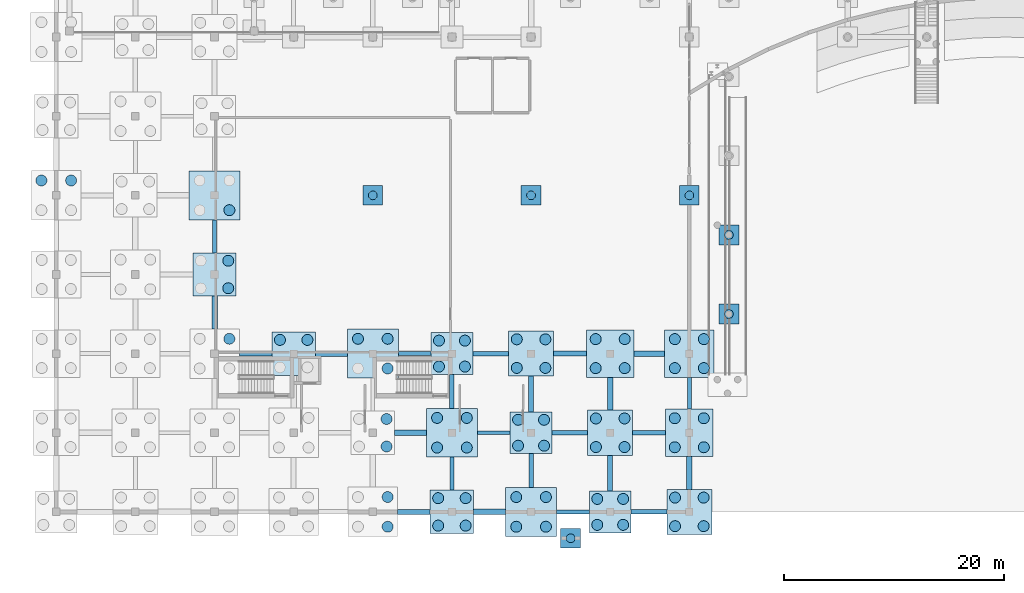
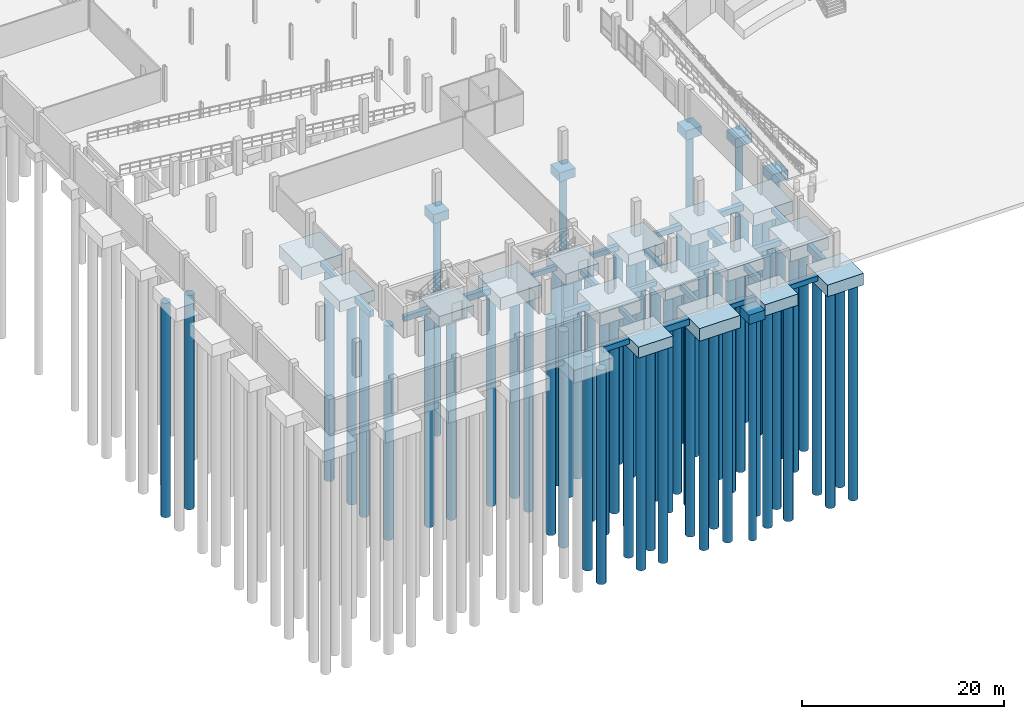
# One storey, part 2 of 56: 69 piles, 46 footings.
"""IFC4 building model written with IfcOpenShell, lengths in metres."""

from ifc_helpers import new_model, si_unit, direction, frame, origin, origin_2d, place, context, subcontext, project, spatial, rectangle, circle, extrude, material, material_profile, profile_set, type_object, element, save


model = new_model("IFC4")

# Units and contexts
model_context = context("Model", 3, precision=1e-05, world=origin(), true_north=direction((0.0, 1.0)))
body_context = subcontext(model_context, "Body", "Model", "MODEL_VIEW")
ifc_project = project(units=[si_unit("LENGTHUNIT", "METRE"), si_unit("AREAUNIT", "SQUARE_METRE"), si_unit("VOLUMEUNIT", "CUBIC_METRE"), si_unit("PLANEANGLEUNIT", "RADIAN"), si_unit("MASSUNIT", "GRAM", prefix="KILO")], contexts=[model_context])

# Site, building, storey
site_placement = place(None, origin())
site = spatial("IfcSite", under=ifc_project, at=site_placement, CompositionType="ELEMENT")
building_placement = place(site_placement, origin())
building = spatial("IfcBuilding", under=site, at=building_placement, Name="Suanplinth Sawtooth Commons", CompositionType="ELEMENT")
storey_placement = place(building_placement, frame((0.0, 0.0, -4.199951171875)))
storey = spatial("IfcBuildingStorey", under=building, at=storey_placement, Name="B1", CompositionType="ELEMENT", Elevation=-4.199951171875)

# Footings
ifc_material_1 = material(Name="Concrete C35/45", Category="concrete")
ifc_material_profile_1 = material_profile(ifc_material_1, rectangle(XDim=0.449951171875, YDim=0.64990234375, at=origin_2d()), Name="PC-GDR 450x650")
ifc_profile_set_1 = profile_set([ifc_material_profile_1], Name="Concrete C35/45")
footing_type_1 = type_object("IfcFootingType", Name="FB-01", PredefinedType="FOOTING_BEAM", material=ifc_profile_set_1)
footing_1_placement = place(storey_placement, frame((16.64990234375, 14.39990234375, -0.824951171875), z_axis=(1.0, 0.0, 0.0), x_axis=(0.0, 1.0, 0.0)))
element("IfcFooting", 1, at=footing_1_placement, inside=storey, type_object=footing_type_1, Name="Foundation Tie Beam 3-4/C", PredefinedType="FOOTING_BEAM", context=body_context, shape_type="SweptSolid", body=[
    extrude(rectangle(XDim=0.449951171875, YDim=0.64990234375, at=origin_2d()), origin(), (0.0, 0.0, 1.0), 2.97509765625),
])
footing_2_placement = place(storey_placement, frame((31.050048828125, 0.0, -0.824951171875), z_axis=(1.0, 0.0, 0.0), x_axis=(0.0, 1.0, 0.0)))
element("IfcFooting", 2, at=footing_2_placement, inside=storey, type_object=footing_type_1, Name="Foundation Tie Beam 5-6/A", PredefinedType="FOOTING_BEAM", context=body_context, shape_type="SweptSolid", body=[
    extrude(rectangle(XDim=0.449951171875, YDim=0.64990234375, at=origin_2d()), origin(), (0.0, 0.0, 1.0), 2.974853515625),
])
footing_3_placement = place(storey_placement, frame((43.199951171875, 9.10009765625, -0.824951171875), z_axis=(0.0, 1.0, 0.0), x_axis=(-1.0, 0.0, 0.0)))
element("IfcFooting", 3, at=footing_3_placement, inside=storey, type_object=footing_type_1, Name="Foundation Tie Beam 7/B-C", PredefinedType="FOOTING_BEAM", context=body_context, shape_type="SweptSolid", body=[
    extrude(rectangle(XDim=0.449951171875, YDim=0.64990234375, at=origin_2d()), origin(), (0.0, 0.0, 1.0), 3.25),
])
footing_4_placement = place(storey_placement, frame((45.25, 14.39990234375, -0.824951171875), z_axis=(1.0, 0.0, 0.0), x_axis=(0.0, 1.0, 0.0)))
element("IfcFooting", 4, at=footing_4_placement, inside=storey, type_object=footing_type_1, Name="Foundation Tie Beam 7-8/C", PredefinedType="FOOTING_BEAM", context=body_context, shape_type="SweptSolid", body=[
    extrude(rectangle(XDim=0.449951171875, YDim=0.64990234375, at=origin_2d()), origin(), (0.0, 0.0, 1.0), 3.0),
])
footing_5_placement = place(storey_placement, frame((50.39990234375, 1.89990234375, -0.824951171875), z_axis=(0.0, 1.0, 0.0), x_axis=(-1.0, 0.0, 0.0)))
element("IfcFooting", 5, at=footing_5_placement, inside=storey, type_object=footing_type_1, Name="Foundation Tie Beam 8/A-B", PredefinedType="FOOTING_BEAM", context=body_context, shape_type="SweptSolid", body=[
    extrude(rectangle(XDim=0.449951171875, YDim=0.64990234375, at=origin_2d()), origin(), (0.0, 0.0, 1.0), 3.25),
])
footing_6_placement = place(storey_placement, frame((52.449951171875, 7.199951171875, -0.824951171875), z_axis=(1.0, 0.0, 0.0), x_axis=(0.0, 1.0, 0.0)))
element("IfcFooting", 6, at=footing_6_placement, inside=storey, type_object=footing_type_1, Name="Foundation Tie Beam 8-9/B", PredefinedType="FOOTING_BEAM", context=body_context, shape_type="SweptSolid", body=[
    extrude(rectangle(XDim=0.449951171875, YDim=0.64990234375, at=origin_2d()), origin(), (0.0, 0.0, 1.0), 3.0),
])
ifc_material_profile_2 = material_profile(ifc_material_1, rectangle(XDim=0.5, YDim=0.75, at=origin_2d()), Name="RC-GDR 500x750")
ifc_profile_set_2 = profile_set([ifc_material_profile_2], Name="Concrete C35/45")
footing_type_2 = type_object("IfcFootingType", Name="FB-02", PredefinedType="FOOTING_BEAM", material=ifc_profile_set_2)
footing_7_placement = place(storey_placement, frame((14.39990234375, 16.64990234375, -0.875), z_axis=(0.0, 1.0, 0.0), x_axis=(-1.0, 0.0, 0.0)))
element("IfcFooting", 7, at=footing_7_placement, inside=storey, type_object=footing_type_2, Name="Foundation Tie Beam 3/C-D", PredefinedType="FOOTING_BEAM", context=body_context, shape_type="SweptSolid", body=[
    extrude(rectangle(XDim=0.5, YDim=0.75, at=origin_2d()), origin(), (0.0, 0.0, 1.0), 2.97509765625),
])
for number, where, z_axis, x_axis, name in (
    (8, (23.574951171875, 14.39990234375, -0.875), (1.0, 0.0, 0.0), (0.0, 1.0, 0.0), "Foundation Tie Beam 4-5/C"),
    (9, (30.77490234375, 7.199951171875, -0.875), (1.0, 0.0, 0.0), (0.0, 1.0, 0.0), "Foundation Tie Beam 5-6/B"),
):
    element("IfcFooting", number, at=place(storey_placement, frame(where, z_axis=z_axis, x_axis=x_axis)), inside=storey, type_object=footing_type_2, Name=name, PredefinedType="FOOTING_BEAM", context=body_context, shape_type="SweptSolid", body=[
        extrude(rectangle(XDim=0.5, YDim=0.75, at=origin_2d()), origin(), (0.0, 0.0, 1.0), 2.900146484375),
    ])
footing_8_placement = place(storey_placement, frame((37.97509765625, 0.0, -0.875), z_axis=(1.0, 0.0, 0.0), x_axis=(0.0, 1.0, 0.0)))
element("IfcFooting", 10, at=footing_8_placement, inside=storey, type_object=footing_type_2, Name="Foundation Tie Beam 6-7/A", PredefinedType="FOOTING_BEAM", context=body_context, shape_type="SweptSolid", body=[
    extrude(rectangle(XDim=0.5, YDim=0.75, at=origin_2d()), origin(), (0.0, 0.0, 1.0), 2.89990234375),
])
footing_9_placement = place(storey_placement, frame((50.39990234375, 9.25, -0.875), z_axis=(0.0, 1.0, 0.0), x_axis=(-1.0, 0.0, 0.0)))
element("IfcFooting", 11, at=footing_9_placement, inside=storey, type_object=footing_type_2, Name="Foundation Tie Beam 8/B-C", PredefinedType="FOOTING_BEAM", context=body_context, shape_type="SweptSolid", body=[
    extrude(rectangle(XDim=0.5, YDim=0.75, at=origin_2d()), origin(), (0.0, 0.0, 1.0), 3.0),
])
footing_10_placement = place(storey_placement, frame((52.550048828125, 14.39990234375, -0.875), z_axis=(1.0, 0.0, 0.0), x_axis=(0.0, 1.0, 0.0)))
element("IfcFooting", 12, at=footing_10_placement, inside=storey, type_object=footing_type_2, Name="Foundation Tie Beam 8-9/C", PredefinedType="FOOTING_BEAM", context=body_context, shape_type="SweptSolid", body=[
    extrude(rectangle(XDim=0.5, YDim=0.75, at=origin_2d()), origin(), (0.0, 0.0, 1.0), 2.800048828125),
])
footing_11_placement = place(storey_placement, frame((57.60009765625, 2.050048828125, -0.875), z_axis=(0.0, 1.0, 0.0), x_axis=(-1.0, 0.0, 0.0)))
element("IfcFooting", 13, at=footing_11_placement, inside=storey, type_object=footing_type_2, Name="Foundation Tie Beam 9/A-B", PredefinedType="FOOTING_BEAM", context=body_context, shape_type="SweptSolid", body=[
    extrude(rectangle(XDim=0.5, YDim=0.75, at=origin_2d()), origin(), (0.0, 0.0, 1.0), 3.0),
])
ifc_material_profile_3 = material_profile(ifc_material_1, rectangle(XDim=0.35009765625, YDim=0.550048828125, at=origin_2d()), Name="PC-BM 350x550")
ifc_profile_set_3 = profile_set([ifc_material_profile_3], Name="Concrete C35/45")
footing_type_3 = type_object("IfcFootingType", Name="FB-03", PredefinedType="FOOTING_BEAM", material=ifc_profile_set_3)
footing_12_placement = place(storey_placement, frame((14.39990234375, 23.574951171875, -0.775146484375), z_axis=(0.0, 1.0, 0.0), x_axis=(-1.0, 0.0, 0.0)))
element("IfcFooting", 14, at=footing_12_placement, inside=storey, type_object=footing_type_3, Name="Foundation Tie Beam 3/D-E", PredefinedType="FOOTING_BEAM", context=body_context, shape_type="SweptSolid", body=[
    extrude(rectangle(XDim=0.35009765625, YDim=0.550048828125, at=origin_2d()), origin(), (0.0, 0.0, 1.0), 3.0),
])
footing_13_placement = place(storey_placement, frame((31.125, 14.39990234375, -0.775146484375), z_axis=(1.0, 0.0, 0.0), x_axis=(0.0, 1.0, 0.0)))
element("IfcFooting", 15, at=footing_13_placement, inside=storey, type_object=footing_type_3, Name="Foundation Tie Beam 5-6/C", PredefinedType="FOOTING_BEAM", context=body_context, shape_type="SweptSolid", body=[
    extrude(rectangle(XDim=0.35009765625, YDim=0.550048828125, at=origin_2d()), origin(), (0.0, 0.0, 1.0), 2.97509765625),
])
footing_14_placement = place(storey_placement, frame((36.0, 1.97509765625, -0.775146484375), z_axis=(0.0, 1.0, 0.0), x_axis=(-1.0, 0.0, 0.0)))
element("IfcFooting", 16, at=footing_14_placement, inside=storey, type_object=footing_type_3, Name="Foundation Tie Beam 6/A-B", PredefinedType="FOOTING_BEAM", context=body_context, shape_type="SweptSolid", body=[
    extrude(rectangle(XDim=0.35009765625, YDim=0.550048828125, at=origin_2d()), origin(), (0.0, 0.0, 1.0), 3.0),
])
for number, where, z_axis, x_axis, name in (
    (17, (38.324951171875, 7.199951171875, -0.775146484375), (1.0, 0.0, 0.0), (0.0, 1.0, 0.0), "Foundation Tie Beam 6-7/B"),
    (18, (45.52490234375, 0.0, -0.775146484375), (1.0, 0.0, 0.0), (0.0, 1.0, 0.0), "Foundation Tie Beam 7-8/A"),
):
    element("IfcFooting", number, at=place(storey_placement, frame(where, z_axis=z_axis, x_axis=x_axis)), inside=storey, type_object=footing_type_3, Name=name, PredefinedType="FOOTING_BEAM", context=body_context, shape_type="SweptSolid", body=[
        extrude(rectangle(XDim=0.35009765625, YDim=0.550048828125, at=origin_2d()), origin(), (0.0, 0.0, 1.0), 2.97509765625),
    ])
footing_15_placement = place(storey_placement, frame((57.60009765625, 9.35009765625, -0.775146484375), z_axis=(0.0, 1.0, 0.0), x_axis=(-1.0, 0.0, 0.0)))
element("IfcFooting", 19, at=footing_15_placement, inside=storey, type_object=footing_type_3, Name="Foundation Tie Beam 9/B-C", PredefinedType="FOOTING_BEAM", context=body_context, shape_type="SweptSolid", body=[
    extrude(rectangle(XDim=0.35009765625, YDim=0.550048828125, at=origin_2d()), origin(), (0.0, 0.0, 1.0), 2.89990234375),
])
ifc_material_profile_4 = material_profile(ifc_material_1, rectangle(XDim=0.39990234375, YDim=0.60009765625, at=origin_2d()), Name="PC-GDR 400x600")
ifc_profile_set_4 = profile_set([ifc_material_profile_4], Name="Concrete C35/45")
footing_type_4 = type_object("IfcFootingType", Name="FB-04", PredefinedType="FOOTING_BEAM", material=ifc_profile_set_4)
footing_16_placement = place(storey_placement, frame((36.0, 9.425048828125, -0.800048828125), z_axis=(0.0, 1.0, 0.0), x_axis=(-1.0, 0.0, 0.0)))
element("IfcFooting", 20, at=footing_16_placement, inside=storey, type_object=footing_type_4, Name="Foundation Tie Beam 6/B-C", PredefinedType="FOOTING_BEAM", context=body_context, shape_type="SweptSolid", body=[
    extrude(rectangle(XDim=0.39990234375, YDim=0.60009765625, at=origin_2d()), origin(), (0.0, 0.0, 1.0), 3.074951171875),
])
footing_17_placement = place(storey_placement, frame((37.89990234375, 14.39990234375, -0.800048828125), z_axis=(1.0, 0.0, 0.0), x_axis=(0.0, 1.0, 0.0)))
element("IfcFooting", 21, at=footing_17_placement, inside=storey, type_object=footing_type_4, Name="Foundation Tie Beam 6-7/C", PredefinedType="FOOTING_BEAM", context=body_context, shape_type="SweptSolid", body=[
    extrude(rectangle(XDim=0.39990234375, YDim=0.60009765625, at=origin_2d()), origin(), (0.0, 0.0, 1.0), 3.25),
])
footing_18_placement = place(storey_placement, frame((43.199951171875, 2.22509765625, -0.800048828125), z_axis=(0.0, 1.0, 0.0), x_axis=(-1.0, 0.0, 0.0)))
element("IfcFooting", 22, at=footing_18_placement, inside=storey, type_object=footing_type_4, Name="Foundation Tie Beam 7/A-B", PredefinedType="FOOTING_BEAM", context=body_context, shape_type="SweptSolid", body=[
    extrude(rectangle(XDim=0.39990234375, YDim=0.60009765625, at=origin_2d()), origin(), (0.0, 0.0, 1.0), 3.074951171875),
])
for number, where, z_axis, x_axis, name in (
    (23, (45.10009765625, 7.199951171875, -0.800048828125), (1.0, 0.0, 0.0), (0.0, 1.0, 0.0), "Foundation Tie Beam 7-8/B"),
    (24, (52.300048828125, 0.0, -0.800048828125), (1.0, 0.0, 0.0), (0.0, 1.0, 0.0), "Foundation Tie Beam 8-9/A"),
):
    element("IfcFooting", number, at=place(storey_placement, frame(where, z_axis=z_axis, x_axis=x_axis)), inside=storey, type_object=footing_type_4, Name=name, PredefinedType="FOOTING_BEAM", context=body_context, shape_type="SweptSolid", body=[
        extrude(rectangle(XDim=0.39990234375, YDim=0.60009765625, at=origin_2d()), origin(), (0.0, 0.0, 1.0), 3.25),
    ])
footing_type_5 = type_object("IfcFootingType", Name="FC-01", PredefinedType="PILE_CAP", material=ifc_material_1)
for number, where, z_axis, x_axis, name in (
    (25, (28.800048828125, 28.800048828125, -1.60009765625), (0.0, 0.0, 1.0), (1.0, 0.0, 0.0), "Pile Cap 5/E"),
    (26, (43.199951171875, 28.800048828125, -1.60009765625), (0.0, 0.0, 1.0), (1.0, 0.0, 0.0), "Pile Cap 7/E"),
    (27, (57.60009765625, 28.800048828125, -1.60009765625), (0.0, 0.0, 1.0), (1.0, 0.0, 0.0), "Pile Cap 9/E"),
    (28, (61.199951171875, 18.0, -1.60009765625), (0.0, 0.0, 1.0), (1.0, 0.0, 0.0), "West Breezeway Cap W1"),
    (29, (61.199951171875, 25.199951171875, -1.60009765625), (0.0, 0.0, 1.0), (1.0, 0.0, 0.0), "West Breezeway Cap W2"),
    (30, (46.800048828125, -2.39990234375, -1.10009765625), (0.0, 0.0, 1.0), (1.0, 0.0, 0.0), "Threshold Ramp Toe Cap AR-05"),
):
    element("IfcFooting", number, at=place(storey_placement, frame(where, z_axis=z_axis, x_axis=x_axis)), inside=storey, type_object=footing_type_5, Name=name, PredefinedType="PILE_CAP", context=body_context, shape_type="SweptSolid", body=[
        extrude(rectangle(XDim=1.800048828125, YDim=1.800048828125, at=origin_2d()), origin(), (0.0, 0.0, 1.0), 1.10009765625),
    ])
footing_type_6 = type_object("IfcFootingType", Name="FC-06", PredefinedType="PILE_CAP", material=ifc_material_1)
for number, where, z_axis, x_axis, name in (
    (31, (36.0, 14.39990234375, -1.85009765625), (0.0, 0.0, 1.0), (1.0, 0.0, 0.0), "Pile Cap 6/C"),
    (32, (43.199951171875, 7.199951171875, -1.85009765625), (0.0, 0.0, 1.0), (1.0, 0.0, 0.0), "Pile Cap 7/B"),
    (33, (50.39990234375, 0.0, -1.85009765625), (0.0, 0.0, 1.0), (1.0, 0.0, 0.0), "Pile Cap 8/A"),
):
    element("IfcFooting", number, at=place(storey_placement, frame(where, z_axis=z_axis, x_axis=x_axis)), inside=storey, type_object=footing_type_6, Name=name, PredefinedType="PILE_CAP", context=body_context, shape_type="SweptSolid", body=[
        extrude(rectangle(XDim=3.800048828125, YDim=3.800048828125, at=origin_2d()), origin(), (0.0, 0.0, 1.0), 1.35009765625),
    ])
footing_type_7 = type_object("IfcFootingType", Name="FC-07", PredefinedType="PILE_CAP", material=ifc_material_1)
for number, where, z_axis, x_axis, name in (
    (34, (43.199951171875, 14.39990234375, -1.89990234375), (0.0, 0.0, 1.0), (1.0, 0.0, 0.0), "Pile Cap 7/C"),
    (35, (50.39990234375, 7.199951171875, -1.89990234375), (0.0, 0.0, 1.0), (1.0, 0.0, 0.0), "Pile Cap 8/B"),
    (36, (57.60009765625, 0.0, -1.89990234375), (0.0, 0.0, 1.0), (1.0, 0.0, 0.0), "Pile Cap 9/A"),
):
    element("IfcFooting", number, at=place(storey_placement, frame(where, z_axis=z_axis, x_axis=x_axis)), inside=storey, type_object=footing_type_7, Name=name, PredefinedType="PILE_CAP", context=body_context, shape_type="SweptSolid", body=[
        extrude(rectangle(XDim=4.10009765625, YDim=4.10009765625, at=origin_2d()), origin(), (0.0, 0.0, 1.0), 1.39990234375),
    ])
footing_type_8 = type_object("IfcFootingType", Name="FC-08", PredefinedType="PILE_CAP", material=ifc_material_1)
for number, where, z_axis, x_axis, name in (
    (37, (50.39990234375, 14.39990234375, -1.9501953125), (0.0, 0.0, 1.0), (1.0, 0.0, 0.0), "Pile Cap 8/C"),
    (38, (57.60009765625, 7.199951171875, -1.9501953125), (0.0, 0.0, 1.0), (1.0, 0.0, 0.0), "Pile Cap 9/B"),
):
    element("IfcFooting", number, at=place(storey_placement, frame(where, z_axis=z_axis, x_axis=x_axis)), inside=storey, type_object=footing_type_8, Name=name, PredefinedType="PILE_CAP", context=body_context, shape_type="SweptSolid", body=[
        extrude(rectangle(XDim=4.300048828125, YDim=4.300048828125, at=origin_2d()), origin(), (0.0, 0.0, 1.0), 1.449951171875),
    ])
footing_type_9 = type_object("IfcFootingType", Name="FC-09", PredefinedType="PILE_CAP", material=ifc_material_1)
footing_19_placement = place(storey_placement, frame((57.60009765625, 14.39990234375, -2.0), z_axis=(0.0, 0.0, 1.0), x_axis=(1.0, 0.0, 0.0)))
element("IfcFooting", 39, at=footing_19_placement, inside=storey, type_object=footing_type_9, Name="Pile Cap 9/C", PredefinedType="PILE_CAP", context=body_context, shape_type="SweptSolid", body=[
    extrude(rectangle(XDim=4.5, YDim=4.300048828125, at=origin_2d()), origin(), (0.0, 0.0, 1.0), 1.5),
])
footing_type_10 = type_object("IfcFootingType", Name="FC-15", PredefinedType="PILE_CAP", material=ifc_material_1)
for number, where, z_axis, x_axis, name in (
    (40, (14.39990234375, 21.60009765625, -1.8203125), (0.0, 0.0, 1.0), (1.0, 0.0, 0.0), "Pile Cap 3/D"),
    (41, (21.60009765625, 14.39990234375, -1.8203125), (0.0, 0.0, 1.0), (1.0, 0.0, 0.0), "Pile Cap 4/C"),
    (42, (36.0, 0.0, -1.8203125), (0.0, 0.0, 1.0), (1.0, 0.0, 0.0), "Pile Cap 6/A"),
):
    element("IfcFooting", number, at=place(storey_placement, frame(where, z_axis=z_axis, x_axis=x_axis)), inside=storey, type_object=footing_type_10, Name=name, PredefinedType="PILE_CAP", context=body_context, shape_type="SweptSolid", body=[
        extrude(rectangle(XDim=3.949951171875, YDim=3.949951171875, at=origin_2d()), origin(), (0.0, 0.0, 1.0), 1.320068359375),
    ])
footing_type_11 = type_object("IfcFootingType", Name="FC-16", PredefinedType="PILE_CAP", material=ifc_material_1)
for number, where, z_axis, x_axis, name in (
    (43, (14.39990234375, 28.800048828125, -2.02001953125), (0.0, 0.0, 1.0), (1.0, 0.0, 0.0), "Pile Cap 3/E"),
    (44, (28.800048828125, 14.39990234375, -2.02001953125), (0.0, 0.0, 1.0), (1.0, 0.0, 0.0), "Pile Cap 5/C"),
    (45, (36.0, 7.199951171875, -2.02001953125), (0.0, 0.0, 1.0), (1.0, 0.0, 0.0), "Pile Cap 6/B"),
    (46, (43.199951171875, 0.0, -2.02001953125), (0.0, 0.0, 1.0), (1.0, 0.0, 0.0), "Pile Cap 7/A"),
):
    element("IfcFooting", number, at=place(storey_placement, frame(where, z_axis=z_axis, x_axis=x_axis)), inside=storey, type_object=footing_type_11, Name=name, PredefinedType="PILE_CAP", context=body_context, shape_type="SweptSolid", body=[
        extrude(rectangle(XDim=4.64990234375, YDim=4.449951171875, at=origin_2d()), origin(), (0.0, 0.0, 1.0), 1.52001953125),
    ])

# Piles
ifc_material_2 = material(Name="Concrete C32/40", Category="concrete")
ifc_material_profile_5 = material_profile(ifc_material_2, circle(Radius=0.39990234375, at=origin_2d()), Name="PILE D800")
ifc_profile_set_5 = profile_set([ifc_material_profile_5], Name="Concrete C32/40")
pile_type_1 = type_object("IfcPileType", Name="P-01", PredefinedType="BORED", material=ifc_profile_set_5)
for number, where, z_axis, x_axis, name in (
    (47, (28.800048828125, 28.800048828125, -1.5), (0.0, 0.0, -1.0), (1.0, 0.0, 0.0), "Bored Pile 5/E-1"),
    (48, (43.199951171875, 28.800048828125, -1.5), (0.0, 0.0, -1.0), (1.0, 0.0, 0.0), "Bored Pile 7/E-1"),
    (49, (57.60009765625, 28.800048828125, -1.5), (0.0, 0.0, -1.0), (1.0, 0.0, 0.0), "Bored Pile 9/E-1"),
    (50, (61.199951171875, 18.0, -1.5), (0.0, 0.0, -1.0), (1.0, 0.0, 0.0), "West Breezeway Pile W1"),
    (51, (61.199951171875, 25.199951171875, -1.5), (0.0, 0.0, -1.0), (1.0, 0.0, 0.0), "West Breezeway Pile W2"),
):
    element("IfcPile", number, at=place(storey_placement, frame(where, z_axis=z_axis, x_axis=x_axis)), inside=storey, type_object=pile_type_1, Name=name, PredefinedType="BORED", context=body_context, shape_type="SweptSolid", body=[
        extrude(circle(Radius=0.39990234375, at=origin_2d()), origin(), (0.0, 0.0, 1.0), 26.300048828125),
    ])
pile_1_placement = place(storey_placement, frame((46.800048828125, -2.39990234375, -1.0), z_axis=(0.0, 0.0, -1.0), x_axis=(1.0, 0.0, 0.0)))
element("IfcPile", 52, at=pile_1_placement, inside=storey, type_object=pile_type_1, Name="Threshold Ramp Toe Pile AR-05", PredefinedType="BORED", context=body_context, shape_type="SweptSolid", body=[
    extrude(circle(Radius=0.39990234375, at=origin_2d()), origin(), (0.0, 0.0, 1.0), 26.800048828125),
])
ifc_material_profile_6 = material_profile(ifc_material_2, circle(Radius=0.5, at=origin_2d()), Name="PILE D1000")
ifc_profile_set_6 = profile_set([ifc_material_profile_6], Name="Concrete C32/40")
pile_type_2 = type_object("IfcPileType", Name="P-02", PredefinedType="BORED", material=ifc_profile_set_6)
for number, where, z_axis, x_axis, name in (
    (53, (-1.35009765625, 30.14990234375, -1.949951171875), (0.0, 0.0, -1.0), (1.0, 0.0, 0.0), "Bored Pile 1/E-3"),
    (54, (1.35009765625, 30.14990234375, -1.949951171875), (0.0, 0.0, -1.0), (1.0, 0.0, 0.0), "Bored Pile 1/E-4"),
    (55, (15.75, 15.75, -1.949951171875), (0.0, 0.0, -1.0), (1.0, 0.0, 0.0), "Bored Pile 3/C-4"),
):
    element("IfcPile", number, at=place(storey_placement, frame(where, z_axis=z_axis, x_axis=x_axis)), inside=storey, type_object=pile_type_2, Name=name, PredefinedType="BORED", context=body_context, shape_type="SweptSolid", body=[
        extrude(circle(Radius=0.5, at=origin_2d()), origin(), (0.0, 0.0, 1.0), 25.85009765625),
    ])
for number, where, z_axis, x_axis, name in (
    (56, (15.64990234375, 20.35009765625, -1.719970703125), (0.0, 0.0, -1.0), (1.0, 0.0, 0.0), "Bored Pile 3/D-2"),
    (57, (15.64990234375, 22.85009765625, -1.719970703125), (0.0, 0.0, -1.0), (1.0, 0.0, 0.0), "Bored Pile 3/D-4"),
):
    element("IfcPile", number, at=place(storey_placement, frame(where, z_axis=z_axis, x_axis=x_axis)), inside=storey, type_object=pile_type_2, Name=name, PredefinedType="BORED", context=body_context, shape_type="SweptSolid", body=[
        extrude(circle(Radius=0.5, at=origin_2d()), origin(), (0.0, 0.0, 1.0), 26.080078125),
    ])
pile_2_placement = place(storey_placement, frame((15.75, 27.449951171875, -1.920166015625), z_axis=(0.0, 0.0, -1.0), x_axis=(1.0, 0.0, 0.0)))
element("IfcPile", 58, at=pile_2_placement, inside=storey, type_object=pile_type_2, Name="Bored Pile 3/E-2", PredefinedType="BORED", context=body_context, shape_type="SweptSolid", body=[
    extrude(circle(Radius=0.5, at=origin_2d()), origin(), (0.0, 0.0, 1.0), 25.8798828125),
])
for number, where, z_axis, x_axis, name in (
    (59, (20.35009765625, 15.64990234375, -1.719970703125), (0.0, 0.0, -1.0), (1.0, 0.0, 0.0), "Bored Pile 4/C-3"),
    (60, (22.85009765625, 15.64990234375, -1.719970703125), (0.0, 0.0, -1.0), (1.0, 0.0, 0.0), "Bored Pile 4/C-4"),
):
    element("IfcPile", number, at=place(storey_placement, frame(where, z_axis=z_axis, x_axis=x_axis)), inside=storey, type_object=pile_type_2, Name=name, PredefinedType="BORED", context=body_context, shape_type="SweptSolid", body=[
        extrude(circle(Radius=0.5, at=origin_2d()), origin(), (0.0, 0.0, 1.0), 26.080078125),
    ])
for number, where, z_axis, x_axis, name in (
    (61, (30.14990234375, -1.35009765625, -1.949951171875), (0.0, 0.0, -1.0), (1.0, 0.0, 0.0), "Bored Pile 5/A-2"),
    (62, (30.14990234375, 1.35009765625, -1.949951171875), (0.0, 0.0, -1.0), (1.0, 0.0, 0.0), "Bored Pile 5/A-4"),
):
    element("IfcPile", number, at=place(storey_placement, frame(where, z_axis=z_axis, x_axis=x_axis)), inside=storey, type_object=pile_type_2, Name=name, PredefinedType="BORED", context=body_context, shape_type="SweptSolid", body=[
        extrude(circle(Radius=0.5, at=origin_2d()), origin(), (0.0, 0.0, 1.0), 25.85009765625),
    ])
for number, where, z_axis, x_axis, name in (
    (63, (30.050048828125, 5.949951171875, -1.719970703125), (0.0, 0.0, -1.0), (1.0, 0.0, 0.0), "Bored Pile 5/B-2"),
    (64, (30.050048828125, 8.449951171875, -1.719970703125), (0.0, 0.0, -1.0), (1.0, 0.0, 0.0), "Bored Pile 5/B-4"),
):
    element("IfcPile", number, at=place(storey_placement, frame(where, z_axis=z_axis, x_axis=x_axis)), inside=storey, type_object=pile_type_2, Name=name, PredefinedType="BORED", context=body_context, shape_type="SweptSolid", body=[
        extrude(circle(Radius=0.5, at=origin_2d()), origin(), (0.0, 0.0, 1.0), 26.080078125),
    ])
for number, where, z_axis, x_axis, name in (
    (65, (30.14990234375, 13.050048828125, -1.920166015625), (0.0, 0.0, -1.0), (1.0, 0.0, 0.0), "Bored Pile 5/C-2"),
    (66, (27.449951171875, 15.75, -1.920166015625), (0.0, 0.0, -1.0), (1.0, 0.0, 0.0), "Bored Pile 5/C-3"),
    (67, (30.14990234375, 15.75, -1.920166015625), (0.0, 0.0, -1.0), (1.0, 0.0, 0.0), "Bored Pile 5/C-4"),
):
    element("IfcPile", number, at=place(storey_placement, frame(where, z_axis=z_axis, x_axis=x_axis)), inside=storey, type_object=pile_type_2, Name=name, PredefinedType="BORED", context=body_context, shape_type="SweptSolid", body=[
        extrude(circle(Radius=0.5, at=origin_2d()), origin(), (0.0, 0.0, 1.0), 25.8798828125),
    ])
for number, where, z_axis, x_axis, name in (
    (68, (34.75, -1.25, -1.719970703125), (0.0, 0.0, -1.0), (1.0, 0.0, 0.0), "Bored Pile 6/A-1"),
    (69, (37.25, -1.25, -1.719970703125), (0.0, 0.0, -1.0), (1.0, 0.0, 0.0), "Bored Pile 6/A-2"),
    (70, (34.75, 1.25, -1.719970703125), (0.0, 0.0, -1.0), (1.0, 0.0, 0.0), "Bored Pile 6/A-3"),
    (71, (37.25, 1.25, -1.719970703125), (0.0, 0.0, -1.0), (1.0, 0.0, 0.0), "Bored Pile 6/A-4"),
):
    element("IfcPile", number, at=place(storey_placement, frame(where, z_axis=z_axis, x_axis=x_axis)), inside=storey, type_object=pile_type_2, Name=name, PredefinedType="BORED", context=body_context, shape_type="SweptSolid", body=[
        extrude(circle(Radius=0.5, at=origin_2d()), origin(), (0.0, 0.0, 1.0), 26.080078125),
    ])
for number, where, z_axis, x_axis, name in (
    (72, (34.64990234375, 5.85009765625, -1.920166015625), (0.0, 0.0, -1.0), (1.0, 0.0, 0.0), "Bored Pile 6/B-1"),
    (73, (37.35009765625, 5.85009765625, -1.920166015625), (0.0, 0.0, -1.0), (1.0, 0.0, 0.0), "Bored Pile 6/B-2"),
    (74, (34.64990234375, 8.550048828125, -1.920166015625), (0.0, 0.0, -1.0), (1.0, 0.0, 0.0), "Bored Pile 6/B-3"),
    (75, (37.35009765625, 8.550048828125, -1.920166015625), (0.0, 0.0, -1.0), (1.0, 0.0, 0.0), "Bored Pile 6/B-4"),
):
    element("IfcPile", number, at=place(storey_placement, frame(where, z_axis=z_axis, x_axis=x_axis)), inside=storey, type_object=pile_type_2, Name=name, PredefinedType="BORED", context=body_context, shape_type="SweptSolid", body=[
        extrude(circle(Radius=0.5, at=origin_2d()), origin(), (0.0, 0.0, 1.0), 25.8798828125),
    ])
for number, where, z_axis, x_axis, name in (
    (76, (34.820068359375, 13.219970703125, -1.75), (0.0, 0.0, -1.0), (1.0, 0.0, 0.0), "Bored Pile 6/C-1"),
    (77, (37.179931640625, 13.219970703125, -1.75), (0.0, 0.0, -1.0), (1.0, 0.0, 0.0), "Bored Pile 6/C-2"),
    (78, (34.820068359375, 15.580078125, -1.75), (0.0, 0.0, -1.0), (1.0, 0.0, 0.0), "Bored Pile 6/C-3"),
    (79, (37.179931640625, 15.580078125, -1.75), (0.0, 0.0, -1.0), (1.0, 0.0, 0.0), "Bored Pile 6/C-4"),
):
    element("IfcPile", number, at=place(storey_placement, frame(where, z_axis=z_axis, x_axis=x_axis)), inside=storey, type_object=pile_type_2, Name=name, PredefinedType="BORED", context=body_context, shape_type="SweptSolid", body=[
        extrude(circle(Radius=0.5, at=origin_2d()), origin(), (0.0, 0.0, 1.0), 26.050048828125),
    ])
for number, where, z_axis, x_axis, name in (
    (80, (41.85009765625, -1.35009765625, -1.920166015625), (0.0, 0.0, -1.0), (1.0, 0.0, 0.0), "Bored Pile 7/A-1"),
    (81, (44.550048828125, -1.35009765625, -1.920166015625), (0.0, 0.0, -1.0), (1.0, 0.0, 0.0), "Bored Pile 7/A-2"),
    (82, (41.85009765625, 1.35009765625, -1.920166015625), (0.0, 0.0, -1.0), (1.0, 0.0, 0.0), "Bored Pile 7/A-3"),
    (83, (44.550048828125, 1.35009765625, -1.920166015625), (0.0, 0.0, -1.0), (1.0, 0.0, 0.0), "Bored Pile 7/A-4"),
):
    element("IfcPile", number, at=place(storey_placement, frame(where, z_axis=z_axis, x_axis=x_axis)), inside=storey, type_object=pile_type_2, Name=name, PredefinedType="BORED", context=body_context, shape_type="SweptSolid", body=[
        extrude(circle(Radius=0.5, at=origin_2d()), origin(), (0.0, 0.0, 1.0), 25.8798828125),
    ])
for number, where, z_axis, x_axis, name in (
    (84, (42.02001953125, 6.02001953125, -1.75), (0.0, 0.0, -1.0), (1.0, 0.0, 0.0), "Bored Pile 7/B-1"),
    (85, (44.3798828125, 6.02001953125, -1.75), (0.0, 0.0, -1.0), (1.0, 0.0, 0.0), "Bored Pile 7/B-2"),
    (86, (42.02001953125, 8.3798828125, -1.75), (0.0, 0.0, -1.0), (1.0, 0.0, 0.0), "Bored Pile 7/B-3"),
    (87, (44.3798828125, 8.3798828125, -1.75), (0.0, 0.0, -1.0), (1.0, 0.0, 0.0), "Bored Pile 7/B-4"),
):
    element("IfcPile", number, at=place(storey_placement, frame(where, z_axis=z_axis, x_axis=x_axis)), inside=storey, type_object=pile_type_2, Name=name, PredefinedType="BORED", context=body_context, shape_type="SweptSolid", body=[
        extrude(circle(Radius=0.5, at=origin_2d()), origin(), (0.0, 0.0, 1.0), 26.050048828125),
    ])
for number, where, z_axis, x_axis, name in (
    (88, (41.89990234375, 13.10009765625, -1.800048828125), (0.0, 0.0, -1.0), (1.0, 0.0, 0.0), "Bored Pile 7/C-1"),
    (89, (44.5, 13.10009765625, -1.800048828125), (0.0, 0.0, -1.0), (1.0, 0.0, 0.0), "Bored Pile 7/C-2"),
    (90, (41.89990234375, 15.699951171875, -1.800048828125), (0.0, 0.0, -1.0), (1.0, 0.0, 0.0), "Bored Pile 7/C-3"),
    (91, (44.5, 15.699951171875, -1.800048828125), (0.0, 0.0, -1.0), (1.0, 0.0, 0.0), "Bored Pile 7/C-4"),
):
    element("IfcPile", number, at=place(storey_placement, frame(where, z_axis=z_axis, x_axis=x_axis)), inside=storey, type_object=pile_type_2, Name=name, PredefinedType="BORED", context=body_context, shape_type="SweptSolid", body=[
        extrude(circle(Radius=0.5, at=origin_2d()), origin(), (0.0, 0.0, 1.0), 26.0),
    ])
for number, where, z_axis, x_axis, name in (
    (92, (49.219970703125, -1.179931640625, -1.75), (0.0, 0.0, -1.0), (1.0, 0.0, 0.0), "Bored Pile 8/A-1"),
    (93, (51.580078125, -1.179931640625, -1.75), (0.0, 0.0, -1.0), (1.0, 0.0, 0.0), "Bored Pile 8/A-2"),
    (94, (49.219970703125, 1.179931640625, -1.75), (0.0, 0.0, -1.0), (1.0, 0.0, 0.0), "Bored Pile 8/A-3"),
    (95, (51.580078125, 1.179931640625, -1.75), (0.0, 0.0, -1.0), (1.0, 0.0, 0.0), "Bored Pile 8/A-4"),
):
    element("IfcPile", number, at=place(storey_placement, frame(where, z_axis=z_axis, x_axis=x_axis)), inside=storey, type_object=pile_type_2, Name=name, PredefinedType="BORED", context=body_context, shape_type="SweptSolid", body=[
        extrude(circle(Radius=0.5, at=origin_2d()), origin(), (0.0, 0.0, 1.0), 26.050048828125),
    ])
for number, where, z_axis, x_axis, name in (
    (96, (49.10009765625, 5.89990234375, -1.800048828125), (0.0, 0.0, -1.0), (1.0, 0.0, 0.0), "Bored Pile 8/B-1"),
    (97, (51.699951171875, 5.89990234375, -1.800048828125), (0.0, 0.0, -1.0), (1.0, 0.0, 0.0), "Bored Pile 8/B-2"),
    (98, (49.10009765625, 8.5, -1.800048828125), (0.0, 0.0, -1.0), (1.0, 0.0, 0.0), "Bored Pile 8/B-3"),
    (99, (51.699951171875, 8.5, -1.800048828125), (0.0, 0.0, -1.0), (1.0, 0.0, 0.0), "Bored Pile 8/B-4"),
):
    element("IfcPile", number, at=place(storey_placement, frame(where, z_axis=z_axis, x_axis=x_axis)), inside=storey, type_object=pile_type_2, Name=name, PredefinedType="BORED", context=body_context, shape_type="SweptSolid", body=[
        extrude(circle(Radius=0.5, at=origin_2d()), origin(), (0.0, 0.0, 1.0), 26.0),
    ])
for number, where, z_axis, x_axis, name in (
    (100, (49.080078125, 13.080078125, -1.85009765625), (0.0, 0.0, -1.0), (1.0, 0.0, 0.0), "Bored Pile 8/C-1"),
    (101, (51.719970703125, 13.080078125, -1.85009765625), (0.0, 0.0, -1.0), (1.0, 0.0, 0.0), "Bored Pile 8/C-2"),
    (102, (49.080078125, 15.719970703125, -1.85009765625), (0.0, 0.0, -1.0), (1.0, 0.0, 0.0), "Bored Pile 8/C-3"),
    (103, (51.719970703125, 15.719970703125, -1.85009765625), (0.0, 0.0, -1.0), (1.0, 0.0, 0.0), "Bored Pile 8/C-4"),
):
    element("IfcPile", number, at=place(storey_placement, frame(where, z_axis=z_axis, x_axis=x_axis)), inside=storey, type_object=pile_type_2, Name=name, PredefinedType="BORED", context=body_context, shape_type="SweptSolid", body=[
        extrude(circle(Radius=0.5, at=origin_2d()), origin(), (0.0, 0.0, 1.0), 25.949951171875),
    ])
for number, where, z_axis, x_axis, name in (
    (104, (56.300048828125, -1.300048828125, -1.800048828125), (0.0, 0.0, -1.0), (1.0, 0.0, 0.0), "Bored Pile 9/A-1"),
    (105, (58.89990234375, -1.300048828125, -1.800048828125), (0.0, 0.0, -1.0), (1.0, 0.0, 0.0), "Bored Pile 9/A-2"),
    (106, (56.300048828125, 1.300048828125, -1.800048828125), (0.0, 0.0, -1.0), (1.0, 0.0, 0.0), "Bored Pile 9/A-3"),
    (107, (58.89990234375, 1.300048828125, -1.800048828125), (0.0, 0.0, -1.0), (1.0, 0.0, 0.0), "Bored Pile 9/A-4"),
):
    element("IfcPile", number, at=place(storey_placement, frame(where, z_axis=z_axis, x_axis=x_axis)), inside=storey, type_object=pile_type_2, Name=name, PredefinedType="BORED", context=body_context, shape_type="SweptSolid", body=[
        extrude(circle(Radius=0.5, at=origin_2d()), origin(), (0.0, 0.0, 1.0), 26.0),
    ])
for number, where, z_axis, x_axis, name in (
    (108, (56.280029296875, 5.8798828125, -1.85009765625), (0.0, 0.0, -1.0), (1.0, 0.0, 0.0), "Bored Pile 9/B-1"),
    (109, (58.919921875, 5.8798828125, -1.85009765625), (0.0, 0.0, -1.0), (1.0, 0.0, 0.0), "Bored Pile 9/B-2"),
    (110, (56.280029296875, 8.52001953125, -1.85009765625), (0.0, 0.0, -1.0), (1.0, 0.0, 0.0), "Bored Pile 9/B-3"),
    (111, (58.919921875, 8.52001953125, -1.85009765625), (0.0, 0.0, -1.0), (1.0, 0.0, 0.0), "Bored Pile 9/B-4"),
):
    element("IfcPile", number, at=place(storey_placement, frame(where, z_axis=z_axis, x_axis=x_axis)), inside=storey, type_object=pile_type_2, Name=name, PredefinedType="BORED", context=body_context, shape_type="SweptSolid", body=[
        extrude(circle(Radius=0.5, at=origin_2d()), origin(), (0.0, 0.0, 1.0), 25.949951171875),
    ])
for number, where, z_axis, x_axis, name in (
    (112, (56.280029296875, 13.080078125, -1.900146484375), (0.0, 0.0, -1.0), (1.0, 0.0, 0.0), "Bored Pile 9/C-1"),
    (113, (58.919921875, 13.080078125, -1.900146484375), (0.0, 0.0, -1.0), (1.0, 0.0, 0.0), "Bored Pile 9/C-2"),
    (114, (56.280029296875, 15.719970703125, -1.900146484375), (0.0, 0.0, -1.0), (1.0, 0.0, 0.0), "Bored Pile 9/C-3"),
    (115, (58.919921875, 15.719970703125, -1.900146484375), (0.0, 0.0, -1.0), (1.0, 0.0, 0.0), "Bored Pile 9/C-4"),
):
    element("IfcPile", number, at=place(storey_placement, frame(where, z_axis=z_axis, x_axis=x_axis)), inside=storey, type_object=pile_type_2, Name=name, PredefinedType="BORED", context=body_context, shape_type="SweptSolid", body=[
        extrude(circle(Radius=0.5, at=origin_2d()), origin(), (0.0, 0.0, 1.0), 25.89990234375),
    ])

save(model, "model.ifc")
